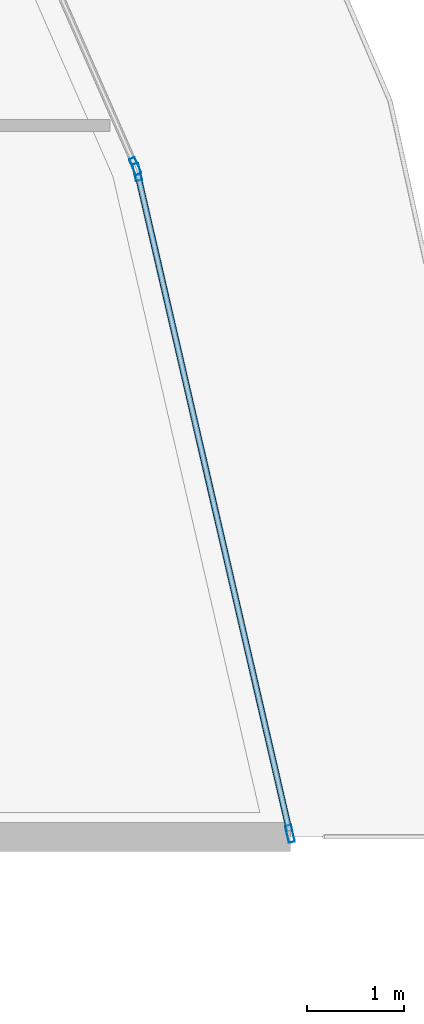
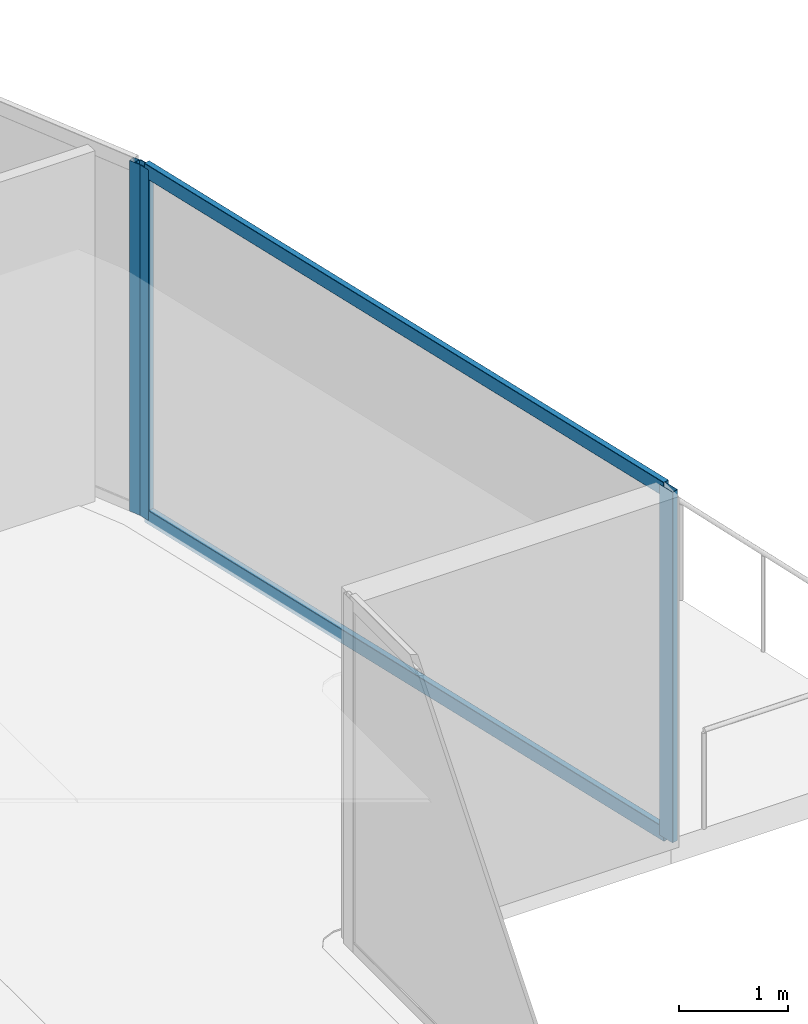
# One storey, part 27 of 45: 5 members, 2 elements without a shape of their own.
"""IFC4 building model written with IfcOpenShell, lengths in metres."""

from ifc_helpers import new_model, si_unit, direction, frame, origin, origin_2d, place, context, subcontext, project, spatial, hollow_rectangle, extrude, material, layer, layer_set, material_profile, profile_set, type_object, element, aggregate, save


model = new_model("IFC4")

# Units and contexts
model_context = context("Model", 3, precision=1e-05, world=origin(), true_north=direction((0.0, 1.0)))
body_context = subcontext(model_context, "Body", "Model", "MODEL_VIEW")
ifc_project = project(units=[si_unit("LENGTHUNIT", "METRE"), si_unit("AREAUNIT", "SQUARE_METRE"), si_unit("VOLUMEUNIT", "CUBIC_METRE"), si_unit("PLANEANGLEUNIT", "RADIAN"), si_unit("MASSUNIT", "GRAM", prefix="KILO")], contexts=[model_context])

# Site, building, storey
site_placement = place(None, origin())
site = spatial("IfcSite", under=ifc_project, at=site_placement, CompositionType="ELEMENT")
building_placement = place(site_placement, origin())
building = spatial("IfcBuilding", under=site, at=building_placement, Name="Qorvath Tower", CompositionType="ELEMENT")
storey_placement = place(building_placement, frame((0.0, 0.0, 91.199951171875)))
storey = spatial("IfcBuildingStorey", under=building, at=storey_placement, Name="L20", CompositionType="ELEMENT", Elevation=91.199951171875)

# Curtain wall, members
ifc_material_1 = material(Name="Anodised aluminium and triple low-E glass", Category="aluminium")
ifc_layer = layer(ifc_material_1, 0.179931640625)
ifc_layer_set = layer_set([ifc_layer], Name="CW-SYS-2")
curtain_wall_type = type_object("IfcCurtainWallType", Name="CW-SYS-2", PredefinedType="NOTDEFINED", material=ifc_layer_set)
curtain_wall_1_placement = place(storey_placement, origin())
curtain_wall_1 = element("IfcCurtainWall", 1, at=curtain_wall_1_placement, inside=storey, type_object=curtain_wall_type, Name="Curtain Wall CW-2 CW-T-L20-11.1", PredefinedType="NOTDEFINED")
ifc_material_2 = material(Name="Anodised aluminium 6063-T6", Category="aluminium")
ifc_material_profile_1 = material_profile(ifc_material_2, hollow_rectangle(XDim=0.06494140625, YDim=0.179931640625, WallThickness=0.00341796875, InnerFilletRadius=0.00341796875, OuterFilletRadius=0.007080078125, at=origin_2d()), Name="CWM 180x65")
ifc_profile_set_1 = profile_set([ifc_material_profile_1], Name="Anodised aluminium 6063-T6")
member_type_1 = type_object("IfcMemberType", Name="CWM-180", PredefinedType="MULLION", material=ifc_profile_set_1)
member_1_placement = place(storey_placement, frame((5.5634765625, 5.12939453125, 0.0), z_axis=(0.0, 0.0, 1.0), x_axis=(-0.974350824402, -0.225034377346, 0.0)))
member_1 = element("IfcMember", 2, at=member_1_placement, type_object=member_type_1, Name="CW-2 mullion 1", PredefinedType="MULLION", context=body_context, shape_type="SweptSolid", body=[
    extrude(hollow_rectangle(XDim=0.06494140625, YDim=0.179931640625, WallThickness=0.00341796875, InnerFilletRadius=0.00341796875, OuterFilletRadius=0.007080078125, at=origin_2d()), origin(), (0.0, 0.0, 1.0), 3.920166015625),
])
member_2_placement = place(storey_placement, frame((3.98046875, 11.983642578125, 0.0), z_axis=(0.0, 0.0, 1.0), x_axis=(-0.974350824402, -0.225034377346, 0.0)))
member_2 = element("IfcMember", 3, at=member_2_placement, type_object=member_type_1, Name="CW-2 mullion 2", PredefinedType="MULLION", context=body_context, shape_type="SweptSolid", body=[
    extrude(hollow_rectangle(XDim=0.06494140625, YDim=0.179931640625, WallThickness=0.00341796875, InnerFilletRadius=0.00341796875, OuterFilletRadius=0.007080078125, at=origin_2d()), origin(), (0.0, 0.0, 1.0), 3.920166015625),
])

# Curtain wall, member
curtain_wall_2_placement = place(storey_placement, origin())
curtain_wall_2 = element("IfcCurtainWall", 4, at=curtain_wall_2_placement, inside=storey, type_object=curtain_wall_type, Name="Curtain Wall CW-2 CW-T-L20-12.1", PredefinedType="NOTDEFINED")
member_3_placement = place(storey_placement, frame((3.9599609375, 12.045166015625, 0.0), z_axis=(0.0, 0.0, 1.0), x_axis=(-0.915869083062, -0.401477051262, 0.0)))
member_3 = element("IfcMember", 5, at=member_3_placement, type_object=member_type_1, Name="CW-2 mullion 1", PredefinedType="MULLION", context=body_context, shape_type="SweptSolid", body=[
    extrude(hollow_rectangle(XDim=0.06494140625, YDim=0.179931640625, WallThickness=0.00341796875, InnerFilletRadius=0.00341796875, OuterFilletRadius=0.007080078125, at=origin_2d()), origin(), (0.0, 0.0, 1.0), 3.920166015625),
])
aggregate(curtain_wall_2, [member_3])

# Member
ifc_material_3 = material(Name="Anodised aluminium 6063-T6", Category="aluminium")
ifc_material_profile_2 = material_profile(ifc_material_3, hollow_rectangle(XDim=0.06494140625, YDim=0.159912109375, WallThickness=0.00341796875, InnerFilletRadius=0.00341796875, OuterFilletRadius=0.007080078125, at=origin_2d()), Name="CWT 160x65")
ifc_profile_set_2 = profile_set([ifc_material_profile_2], Name="Anodised aluminium 6063-T6")
member_type_2 = type_object("IfcMemberType", Name="CWT-160", PredefinedType="USERDEFINED", material=ifc_profile_set_2)
member_4_placement = place(storey_placement, frame((5.55615234375, 5.1611328125, 0.032470703125), z_axis=(-0.225023232351, 0.974353398363, 0.0), x_axis=(-0.974353398363, -0.225023232351, 0.0)))
member_4 = element("IfcMember", 6, at=member_4_placement, type_object=member_type_2, Name="CW-2 transom 1.1", ObjectType="TRANSOM", PredefinedType="USERDEFINED", context=body_context, shape_type="SweptSolid", body=[
    extrude(hollow_rectangle(XDim=0.06494140625, YDim=0.159912109375, WallThickness=0.00341796875, InnerFilletRadius=0.00341796875, OuterFilletRadius=0.007080078125, at=origin_2d()), origin(), (0.0, 0.0, 1.0), 6.9697265625),
])

member_5_placement = place(storey_placement, frame((5.55615234375, 5.1611328125, 3.8876953125), z_axis=(-0.225023232351, 0.974353398363, 0.0), x_axis=(-0.974353398363, -0.225023232351, 0.0)))
member_5 = element("IfcMember", 7, at=member_5_placement, type_object=member_type_2, Name="CW-2 transom 1.2", ObjectType="TRANSOM", PredefinedType="USERDEFINED", context=body_context, shape_type="SweptSolid", body=[
    extrude(hollow_rectangle(XDim=0.06494140625, YDim=0.159912109375, WallThickness=0.00341796875, InnerFilletRadius=0.00341796875, OuterFilletRadius=0.007080078125, at=origin_2d()), origin(), (0.0, 0.0, 1.0), 6.9697265625),
])

aggregate(curtain_wall_1, [member_1, member_2, member_4, member_5])

save(model, "model.ifc")
